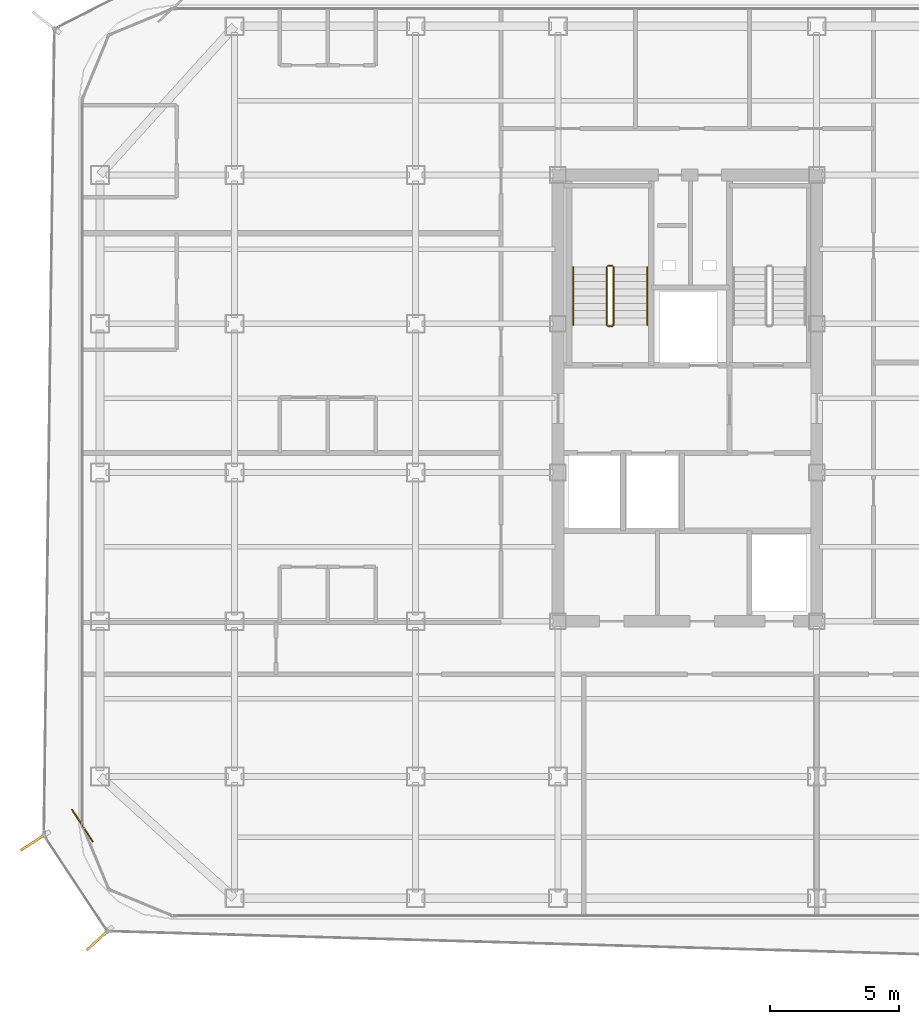
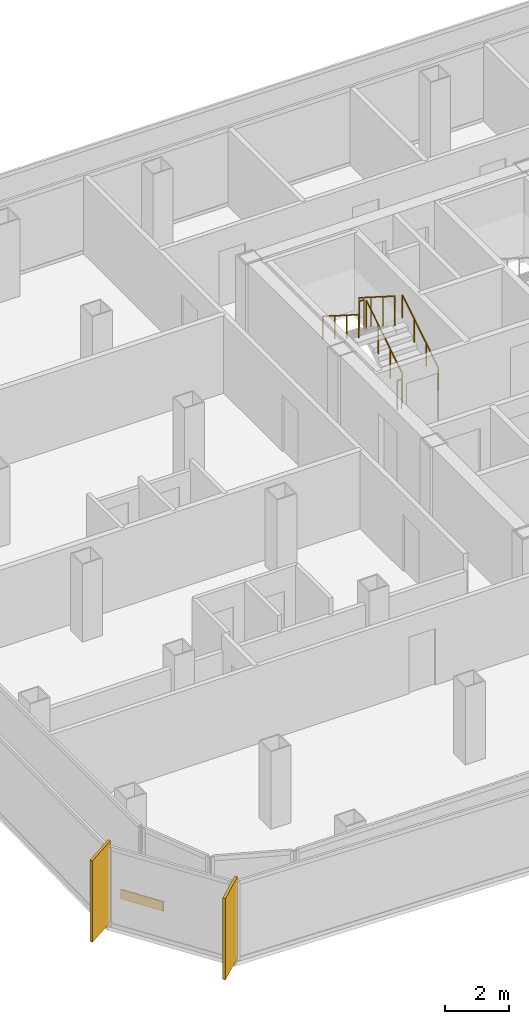
# One storey, part 13 of 15: 6 railings, 2 shading devices, 1 covering.
"""IFC4 building model written with IfcOpenShell, lengths in metres."""

from ifc_helpers import new_model, si_unit, direction, frame, origin, origin_2d, place, context, subcontext, project, spatial, rectangle, circle, extrude, source, transform, mapped, material, layer, layer_set, type_object, element, save


model = new_model("IFC4")

# Units and contexts
model_context = context("Model", 3, precision=1e-05, world=origin(), true_north=direction((0.0, 1.0)))
body_context = subcontext(model_context, "Body", "Model", "MODEL_VIEW")
ifc_project = project(units=[si_unit("LENGTHUNIT", "METRE"), si_unit("AREAUNIT", "SQUARE_METRE"), si_unit("VOLUMEUNIT", "CUBIC_METRE"), si_unit("PLANEANGLEUNIT", "RADIAN"), si_unit("MASSUNIT", "GRAM", prefix="KILO")], contexts=[model_context])

# Site, building, storey
site_placement = place(None, origin())
site = spatial("IfcSite", under=ifc_project, at=site_placement, CompositionType="ELEMENT")
building_placement = place(site_placement, origin())
building = spatial("IfcBuilding", under=site, at=building_placement, Name="Kolveth Station Tower", CompositionType="ELEMENT")
storey_placement = place(building_placement, frame((0.0, 0.0, 168.89990234375)))
storey = spatial("IfcBuildingStorey", under=building, at=storey_placement, Name="L47", CompositionType="ELEMENT", Elevation=168.89990234375)

# Railings
ifc_material_1 = material(Name="Painted Steel S355 balustrade", Category="steel")
railing_type_1 = type_object("IfcRailingType", Name="Guard_GR2", PredefinedType="BALUSTRADE", material=ifc_material_1)
railing_1_placement = place(storey_placement, frame((20.64990234375, 22.949951171875, 0.177978515625)))
element("IfcRailing", 1, at=railing_1_placement, inside=storey, type_object=railing_type_1, Name="L47 ST1 stair guard 1", PredefinedType="BALUSTRADE", context=body_context, shape_type="SweptSolid", body=[
    extrude(circle(Radius=0.02392578125, at=origin_2d()), frame((0.0, 0.0, 1.1259765625), z_axis=(0.0, 0.8442293374, 0.53598211339), x_axis=(-1.0, 0.0, 0.0)), (0.0, 0.0, 1.0), 2.6533203125),
    extrude(circle(Radius=0.02099609375, at=origin_2d()), origin(), (0.0, 0.0, 1.0), 1.101806640625),
    extrude(circle(Radius=0.02099609375, at=origin_2d()), frame((0.0, 0.74658203125, 0.47412109375)), (0.0, 0.0, 1.0), 1.101806640625),
    extrude(circle(Radius=0.02099609375, at=origin_2d()), frame((0.0, 1.493408203125, 0.947998046875)), (0.0, 0.0, 1.0), 1.101806640625),
    extrude(circle(Radius=0.02099609375, at=origin_2d()), frame((0.0, 2.239990234375, 1.422119140625)), (0.0, 0.0, 1.0), 1.101806640625),
])
railing_2_placement = place(storey_placement, frame((20.60009765625, 25.239990234375, 1.60009765625)))
element("IfcRailing", 2, at=railing_2_placement, inside=storey, type_object=railing_type_1, Name="L47 ST1 stair guard 2", PredefinedType="BALUSTRADE", context=body_context, shape_type="SweptSolid", body=[
    extrude(circle(Radius=0.02392578125, at=origin_2d()), frame((0.0, 0.0, 1.1259765625), z_axis=(-1.0, 0.0, 0.0), x_axis=(0.0, -1.0, 0.0)), (0.0, 0.0, 1.0), 0.16015625),
    extrude(circle(Radius=0.02099609375, at=origin_2d()), origin(), (0.0, 0.0, 1.0), 1.101806640625),
    extrude(circle(Radius=0.02099609375, at=origin_2d()), frame((-0.16015625, 0.0, 0.0)), (0.0, 0.0, 1.0), 1.101806640625),
])
railing_3_placement = place(storey_placement, frame((20.389892578125, 25.18994140625, 1.77783203125)))
element("IfcRailing", 3, at=railing_3_placement, inside=storey, type_object=railing_type_1, Name="L47 ST1 stair guard 3", PredefinedType="BALUSTRADE", context=body_context, shape_type="SweptSolid", body=[
    extrude(circle(Radius=0.02392578125, at=origin_2d()), frame((0.0, 0.0, 1.1259765625), z_axis=(0.0, -0.84418770128, 0.536047689118), x_axis=(1.0, 0.0, 0.0)), (0.0, 0.0, 1.0), 2.6533203125),
    extrude(circle(Radius=0.02099609375, at=origin_2d()), origin(), (0.0, 0.0, 1.0), 1.101806640625),
    extrude(circle(Radius=0.02099609375, at=origin_2d()), frame((0.0, -0.74658203125, 0.47412109375)), (0.0, 0.0, 1.0), 1.101806640625),
    extrude(circle(Radius=0.02099609375, at=origin_2d()), frame((0.0, -1.493408203125, 0.9482421875)), (0.0, 0.0, 1.0), 1.101806640625),
    extrude(circle(Radius=0.02099609375, at=origin_2d()), frame((0.0, -2.239990234375, 1.42236328125)), (0.0, 0.0, 1.0), 1.101806640625),
])
railing_4_placement = place(storey_placement, frame((20.60009765625, 22.89990234375, 0.0)))
element("IfcRailing", 4, at=railing_4_placement, inside=storey, type_object=railing_type_1, Name="L47 ST1 stair guard 4", PredefinedType="BALUSTRADE", context=body_context, shape_type="SweptSolid", body=[
    extrude(circle(Radius=0.02392578125, at=origin_2d()), frame((0.0, 0.0, 1.1259765625), z_axis=(-1.0, 0.0, 0.0), x_axis=(0.0, -1.0, 0.0)), (0.0, 0.0, 1.0), 0.16015625),
    extrude(circle(Radius=0.02099609375, at=origin_2d()), origin(), (0.0, 0.0, 1.0), 1.101806640625),
    extrude(circle(Radius=0.02099609375, at=origin_2d()), frame((-0.16015625, 0.0, 0.0)), (0.0, 0.0, 1.0), 1.101806640625),
])
ifc_material_2 = material(Name="Brushed stainless steel", Category="steel")
railing_type_2 = type_object("IfcRailingType", Name="Handrail_HR1", PredefinedType="HANDRAIL", material=ifc_material_2)
railing_5_placement = place(storey_placement, frame((21.949951171875, 22.949951171875, 0.177978515625)))
element("IfcRailing", 5, at=railing_5_placement, inside=storey, type_object=railing_type_2, Name="L47 ST1 stair handrail 1", PredefinedType="HANDRAIL", context=body_context, shape_type="SweptSolid", body=[
    extrude(circle(Radius=0.02392578125, at=origin_2d()), frame((0.0, 0.0, 0.8759765625), z_axis=(0.0, 0.8442293374, 0.53598211339), x_axis=(-1.0, 0.0, 0.0)), (0.0, 0.0, 1.0), 2.6533203125),
    extrude(circle(Radius=0.02099609375, at=origin_2d()), origin(), (0.0, 0.0, 1.0), 0.851806640625),
    extrude(circle(Radius=0.02099609375, at=origin_2d()), frame((0.0, 0.74658203125, 0.47412109375)), (0.0, 0.0, 1.0), 0.851806640625),
    extrude(circle(Radius=0.02099609375, at=origin_2d()), frame((0.0, 1.493408203125, 0.947998046875)), (0.0, 0.0, 1.0), 0.851806640625),
    extrude(circle(Radius=0.02099609375, at=origin_2d()), frame((0.0, 2.239990234375, 1.422119140625)), (0.0, 0.0, 1.0), 0.851806640625),
])
railing_6_placement = place(storey_placement, frame((19.090087890625, 25.18994140625, 1.77783203125)))
element("IfcRailing", 6, at=railing_6_placement, inside=storey, type_object=railing_type_2, Name="L47 ST1 stair handrail 2", PredefinedType="HANDRAIL", context=body_context, shape_type="SweptSolid", body=[
    extrude(circle(Radius=0.02392578125, at=origin_2d()), frame((0.0, 0.0, 0.8759765625), z_axis=(0.0, -0.84418770128, 0.536047689118), x_axis=(1.0, 0.0, 0.0)), (0.0, 0.0, 1.0), 2.6533203125),
    extrude(circle(Radius=0.02099609375, at=origin_2d()), origin(), (0.0, 0.0, 1.0), 0.851806640625),
    extrude(circle(Radius=0.02099609375, at=origin_2d()), frame((0.0, -0.74658203125, 0.47412109375)), (0.0, 0.0, 1.0), 0.851806640625),
    extrude(circle(Radius=0.02099609375, at=origin_2d()), frame((0.0, -1.493408203125, 0.9482421875)), (0.0, 0.0, 1.0), 0.851806640625),
    extrude(circle(Radius=0.02099609375, at=origin_2d()), frame((0.0, -2.239990234375, 1.42236328125)), (0.0, 0.0, 1.0), 0.851806640625),
])

# Shading devices
ifc_material_3 = material(Name="Black anodized aluminium 6063-T6", Category="aluminium")
shading_device_type = type_object("IfcShadingDeviceType", Name="FIN_VF1", PredefinedType="USERDEFINED", material=ifc_material_3)
shared_shape_1 = source(origin(), body_context, "Body", "SweptSolid", [
    extrude(rectangle(XDim=1.25, YDim=0.090087890625, at=origin_2d()), origin(), (0.0, 0.0, 1.0), 3.10009765625),
])
for number, where, z_axis, x_axis, name in (
    (7, (-1.743896484375, 2.98095703125, 0.0), (0.0, 0.0, 1.0), (-0.839240452652, -0.543760482779, 0.0), "L47 Dark-Aluminium Solar Fin 7"),
    (8, (0.7548828125, -0.784912109375, 0.0), (0.0, 0.0, 1.0), (-0.737748808042, -0.675075326339, 0.0), "L47 Dark-Aluminium Solar Fin 8"),
):
    element("IfcShadingDevice", number, at=place(storey_placement, frame(where, z_axis=z_axis, x_axis=x_axis)), inside=storey, type_object=shading_device_type, Name=name, ObjectType="FIN", PredefinedType="USERDEFINED", context=body_context, shape_type="MappedRepresentation", body=[
        mapped(shared_shape_1, transform((0.0, 0.0, 0.0), x_axis=(1.0, 0.0, 0.0), y_axis=(0.0, 1.0, 0.0), z_axis=(0.0, 0.0, 1.0), scale=1.0)),
    ])

# Covering
ifc_material_4 = material(Name="Charcoal anodized aluminium spandrel cladding", Category="aluminium")
ifc_layer = layer(ifc_material_4, 0.044921875)
ifc_layer_set = layer_set([ifc_layer], Name="Charcoal anodized aluminium spandrel cladding")
covering_type = type_object("IfcCoveringType", Name="Clad_CD1", PredefinedType="CLADDING", material=ifc_layer_set)
shared_shape_2 = source(origin(), body_context, "Body", "SweptSolid", [
    extrude(rectangle(XDim=1.5, YDim=0.044921875, at=origin_2d()), origin(), (0.0, 0.0, 1.0), 0.360107421875),
])
covering_placement = place(storey_placement, frame((0.1201171875, 3.60009765625, 0.0), z_axis=(0.0, 0.0, 1.0), x_axis=(0.543760482779, -0.839240452652, 0.0)))
element("IfcCovering", 9, at=covering_placement, inside=storey, type_object=covering_type, Name="L47 Spandrel Edge Cladding 7", PredefinedType="CLADDING", context=body_context, shape_type="MappedRepresentation", body=[
    mapped(shared_shape_2, transform((0.0, 0.0, 0.0), x_axis=(1.0, 0.0, 0.0), y_axis=(0.0, 1.0, 0.0), z_axis=(0.0, 0.0, 1.0), scale=1.0)),
])

save(model, "model.ifc")
